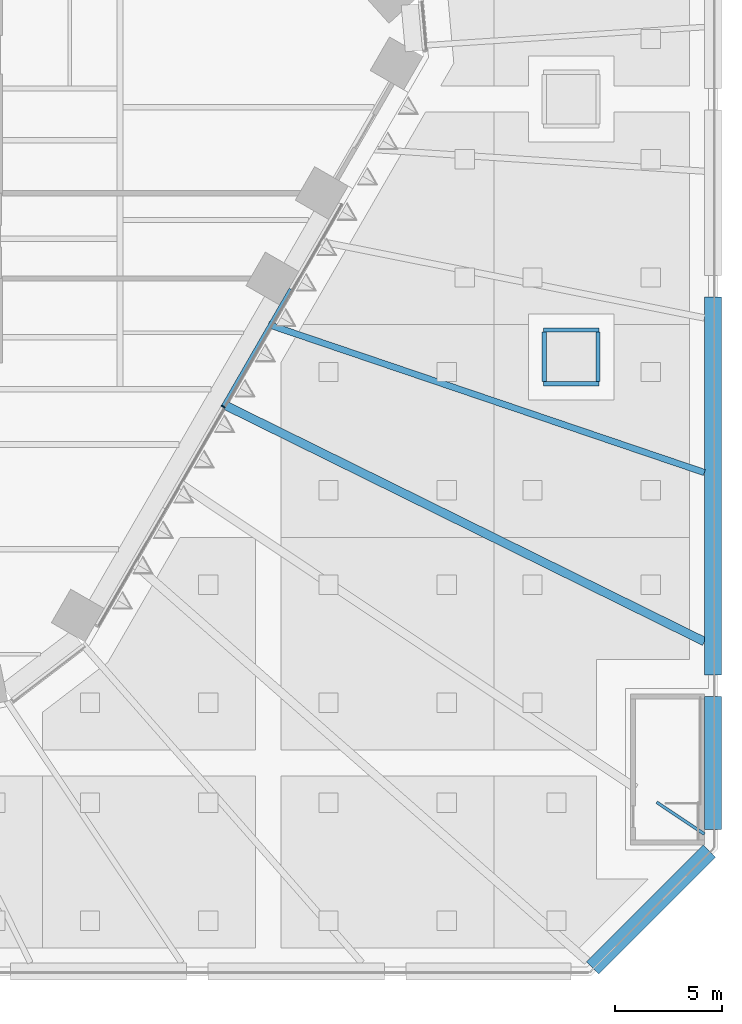
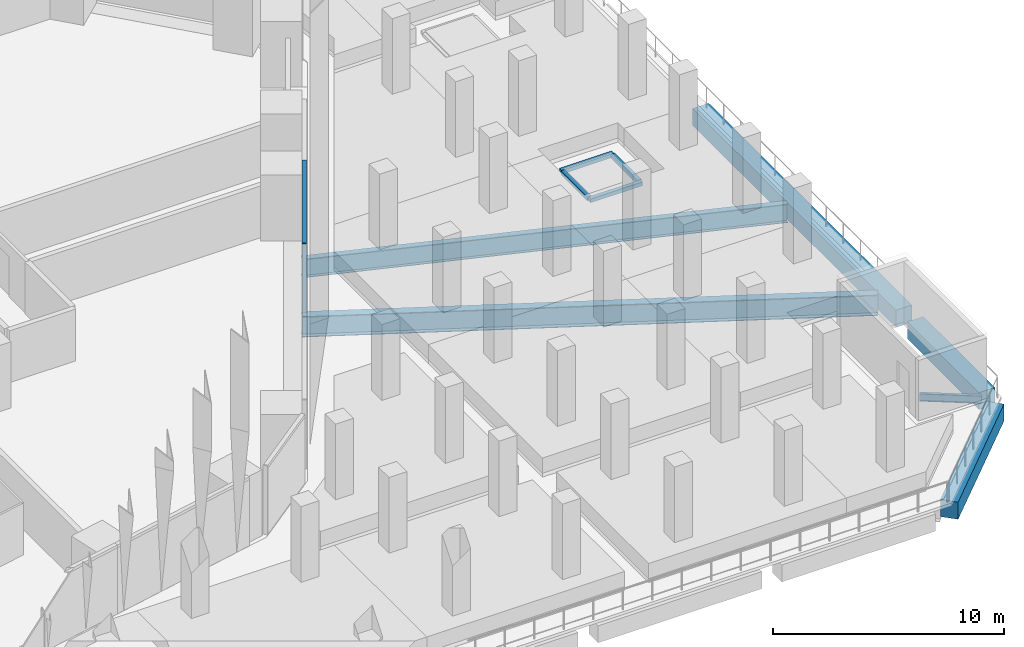
# One storey, part 13 of 51: 6 beams, 6 members, 1 element without a shape of its own.
"""IFC4 building model written with IfcOpenShell, lengths in metres."""

from ifc_helpers import new_model, si_unit, direction, frame, origin, origin_2d, place, context, subcontext, project, spatial, rectangle, i_section, extrude, material, layer, layer_set, material_profile, profile_set, type_object, element, aggregate, save


model = new_model("IFC4")

# Units and contexts
model_context = context("Model", 3, precision=1e-05, world=origin(), true_north=direction((0.0, 1.0)))
body_context = subcontext(model_context, "Body", "Model", "MODEL_VIEW")
ifc_project = project(units=[si_unit("LENGTHUNIT", "METRE"), si_unit("AREAUNIT", "SQUARE_METRE"), si_unit("VOLUMEUNIT", "CUBIC_METRE"), si_unit("PLANEANGLEUNIT", "RADIAN"), si_unit("MASSUNIT", "GRAM", prefix="KILO")], contexts=[model_context])

# Site, building, storey
site_placement = place(None, origin())
site = spatial("IfcSite", under=ifc_project, at=site_placement, CompositionType="ELEMENT")
building_placement = place(site_placement, origin())
building = spatial("IfcBuilding", under=site, at=building_placement, Name="Isthmus Gate Tower", CompositionType="ELEMENT")
storey_placement = place(building_placement, frame((0.0, 0.0, 36.0)))
storey = spatial("IfcBuildingStorey", under=building, at=storey_placement, Name="L06", CompositionType="ELEMENT", Elevation=36.0)

# Curtain wall, members
ifc_material_1 = material(Name="Aluminium, pale champagne anodised", Category="aluminium")
ifc_layer = layer(ifc_material_1, 0.199951171875)
ifc_layer_set = layer_set([ifc_layer], Name="CW-1 UNITISED CURTAIN WALL 200 DEEP")
curtain_wall_type = type_object("IfcCurtainWallType", Name="CW-1 UNITISED CURTAIN WALL 200 DEEP", PredefinedType="NOTDEFINED", material=ifc_layer_set)
curtain_wall_placement = place(storey_placement, origin())
curtain_wall = element("IfcCurtainWall", 1, at=curtain_wall_placement, inside=storey, type_object=curtain_wall_type, Name="CW-1 SE L06", PredefinedType="NOTDEFINED")
ifc_material_2 = material(Name="Aluminium, pale champagne anodised", Category="aluminium")
ifc_material_profile_1 = material_profile(ifc_material_2, rectangle(XDim=0.06005859375, YDim=0.199951171875, at=origin_2d()), Name="60x200")
ifc_profile_set_1 = profile_set([ifc_material_profile_1], Name="Aluminium, pale champagne anodised")
member_type_1 = type_object("IfcMemberType", Name="CW-1 MULLION 60 X 200", PredefinedType="MULLION", material=ifc_profile_set_1)
member_1_placement = place(storey_placement, frame((28.802001953125, -14.3134765625, 0.0), z_axis=(0.0, 0.0, 1.0), x_axis=(0.5, 0.866025403784, 0.0)))
member_1 = element("IfcMember", 2, at=member_1_placement, type_object=member_type_1, Name="CW-1 mullion", PredefinedType="MULLION", context=body_context, shape_type="SweptSolid", body=[
    extrude(rectangle(XDim=0.06005859375, YDim=0.199951171875, at=origin_2d()), origin(), (0.0, 0.0, 1.0), 3.64990234375),
])
ifc_material_3 = material(Name="Aluminium, pale champagne anodised", Category="aluminium")
ifc_material_profile_2 = material_profile(ifc_material_3, rectangle(XDim=0.199951171875, YDim=0.14990234375, at=origin_2d()), Name="200x150")
ifc_profile_set_2 = profile_set([ifc_material_profile_2], Name="Aluminium, pale champagne anodised")
member_type_2 = type_object("IfcMemberType", Name="CW-1 TRANSOM 200 X 150", PredefinedType="USERDEFINED", material=ifc_profile_set_2)
member_2_placement = place(storey_placement, frame((28.817138671875, -14.287353515625, 3.574951171875), z_axis=(0.499995104884, 0.866028229963, 0.0), x_axis=(-0.866028229963, 0.499995104884, 0.0)))
member_2 = element("IfcMember", 3, at=member_2_placement, type_object=member_type_2, Name="CW-1 transom", ObjectType="TRANSOM", PredefinedType="USERDEFINED", context=body_context, shape_type="SweptSolid", body=[
    extrude(rectangle(XDim=0.199951171875, YDim=0.14990234375, at=origin_2d()), origin(), (0.0, 0.0, 1.0), 6.2783203125),
])
aggregate(curtain_wall, [member_1, member_2])

# Beams
ifc_material_4 = material(Name="Concrete f'c 70 MPa", Category="concrete")
ifc_material_profile_3 = material_profile(ifc_material_4, rectangle(XDim=0.800048828125, YDim=0.89990234375, at=origin_2d()), Name="RC 800X900")
ifc_profile_set_3 = profile_set([ifc_material_profile_3], Name="Concrete f'c 70 MPa")
beam_type_1 = type_object("IfcBeamType", Name="RC EDGE BEAM 800 X 900", PredefinedType="BEAM", material=ifc_profile_set_3)
beam_1_placement = place(storey_placement, frame((51.60009765625, -9.199951171875, -0.60009765625), z_axis=(0.0, -1.0, 0.0), x_axis=(1.0, 0.0, 0.0)))
element("IfcBeam", 4, at=beam_1_placement, inside=storey, type_object=beam_type_1, Name="str-edgebeam-L06-25", PredefinedType="BEAM", context=body_context, shape_type="SweptSolid", body=[
    extrude(rectangle(XDim=0.800048828125, YDim=0.89990234375, at=origin_2d()), origin(), (0.0, 0.0, 1.0), 17.60009765625),
])
beam_2_placement = place(storey_placement, frame((51.60009765625, -27.800048828125, -0.60009765625), z_axis=(0.0, -1.0, 0.0), x_axis=(1.0, 0.0, 0.0)))
element("IfcBeam", 5, at=beam_2_placement, inside=storey, type_object=beam_type_1, Name="str-edgebeam-L06-26", PredefinedType="BEAM", context=body_context, shape_type="SweptSolid", body=[
    extrude(rectangle(XDim=0.800048828125, YDim=0.89990234375, at=origin_2d()), origin(), (0.0, 0.0, 1.0), 6.199951171875),
])
beam_3_placement = place(storey_placement, frame((51.434326171875, -35.0, -0.60009765625), z_axis=(-0.707106781187, -0.707106781187, 0.0), x_axis=(0.707106781187, -0.707106781187, 0.0)))
element("IfcBeam", 6, at=beam_3_placement, inside=storey, type_object=beam_type_1, Name="str-edgebeam-L06-27", PredefinedType="BEAM", context=body_context, shape_type="SweptSolid", body=[
    extrude(rectangle(XDim=0.800048828125, YDim=0.89990234375, at=origin_2d()), origin(), (0.0, 0.0, 1.0), 7.685302734375),
])

# Members
ifc_material_5 = material(Name="Concrete C30/37", Category="concrete")
ifc_material_profile_4 = material_profile(ifc_material_5, rectangle(XDim=0.199951171875, YDim=0.199951171875, at=origin_2d()), Name="200x200")
ifc_profile_set_4 = profile_set([ifc_material_profile_4], Name="Concrete C30/37")
member_type_3 = type_object("IfcMemberType", Name="SKYLIGHT KERB 200 X 200", PredefinedType="USERDEFINED", material=ifc_profile_set_4)
for number, where, z_axis, x_axis, name in (
    (7, (43.699951171875, -13.25, 0.10009765625), (1.0, 0.0, 0.0), (0.0, 1.0, 0.0), "Skylight kerb"),
    (8, (43.699951171875, -10.75, 0.10009765625), (1.0, 0.0, 0.0), (0.0, 1.0, 0.0), "Skylight kerb"),
):
    element("IfcMember", number, at=place(storey_placement, frame(where, z_axis=z_axis, x_axis=x_axis)), inside=storey, type_object=member_type_3, Name=name, ObjectType="KERB", PredefinedType="USERDEFINED", context=body_context, shape_type="SweptSolid", body=[
        extrude(rectangle(XDim=0.199951171875, YDim=0.199951171875, at=origin_2d()), origin(), (0.0, 0.0, 1.0), 2.60009765625),
    ])
for number, where, z_axis, x_axis, name in (
    (9, (43.75, -13.14990234375, 0.10009765625), (0.0, 1.0, 0.0), (-1.0, 0.0, 0.0), "Skylight kerb"),
    (10, (46.25, -13.14990234375, 0.10009765625), (0.0, 1.0, 0.0), (-1.0, 0.0, 0.0), "Skylight kerb"),
):
    element("IfcMember", number, at=place(storey_placement, frame(where, z_axis=z_axis, x_axis=x_axis)), inside=storey, type_object=member_type_3, Name=name, ObjectType="KERB", PredefinedType="USERDEFINED", context=body_context, shape_type="SweptSolid", body=[
        extrude(rectangle(XDim=0.199951171875, YDim=0.199951171875, at=origin_2d()), origin(), (0.0, 0.0, 1.0), 2.2998046875),
    ])

# Beams
ifc_material_6 = material(Name="Structural steel ASTM A992 Gr 50", Category="steel")
ifc_material_profile_5 = material_profile(ifc_material_6, i_section(OverallWidth=0.1396484375, OverallDepth=0.4033203125, WebThickness=0.00634765625, FlangeThickness=0.010986328125, at=origin_2d()), Name="W16X31")
ifc_profile_set_5 = profile_set([ifc_material_profile_5], Name="Structural steel ASTM A992 Gr 50")
beam_type_2 = type_object("IfcBeamType", Name="STEEL LEDGE BEAM W16X31", PredefinedType="JOIST", material=ifc_profile_set_5)
beam_4_placement = place(storey_placement, frame((48.976318359375, -32.72509765625, -0.3515625), z_axis=(0.831502127043, -0.555521568188, 0.0), x_axis=(0.555521568188, 0.831502127043, 0.0)))
element("IfcBeam", 11, at=beam_4_placement, inside=storey, type_object=beam_type_2, Name="str-ringbeam-L06-00-45", PredefinedType="JOIST", context=body_context, shape_type="SweptSolid", body=[
    extrude(i_section(OverallWidth=0.1396484375, OverallDepth=0.4033203125, WebThickness=0.00634765625, FlangeThickness=0.010986328125, at=origin_2d()), origin(), (0.0, 0.0, 1.0), 2.67431640625),
])
ifc_material_7 = material(Name="Structural steel ASTM A992 Gr 50", Category="steel")
ifc_material_profile_6 = material_profile(ifc_material_7, i_section(OverallWidth=0.29833984375, OverallDepth=0.981201171875, WebThickness=0.015869140625, FlangeThickness=0.025390625, at=origin_2d()), Name="W40X167")
ifc_profile_set_6 = profile_set([ifc_material_profile_6], Name="Structural steel ASTM A992 Gr 50")
beam_type_3 = type_object("IfcBeamType", Name="STEEL LEDGE BEAM W40X167", PredefinedType="JOIST", material=ifc_profile_set_6)
beam_5_placement = place(storey_placement, frame((30.8955078125, -10.487548828125, -0.640625), z_axis=(0.94692802357, -0.321445669093, 0.0), x_axis=(0.321445669093, 0.94692802357, 0.0)))
element("IfcBeam", 12, at=beam_5_placement, inside=storey, type_object=beam_type_3, Name="str-ringbeam-L06-00-47", PredefinedType="JOIST", context=body_context, shape_type="SweptSolid", body=[
    extrude(i_section(OverallWidth=0.29833984375, OverallDepth=0.981201171875, WebThickness=0.015869140625, FlangeThickness=0.025390625, at=origin_2d()), origin(), (0.0, 0.0, 1.0), 21.4423828125),
])
ifc_material_8 = material(Name="Structural steel ASTM A992 Gr 50", Category="steel")
ifc_material_profile_7 = material_profile(ifc_material_8, i_section(OverallWidth=0.39990234375, OverallDepth=1.089111328125, WebThickness=0.017578125, FlangeThickness=0.03173828125, at=origin_2d()), Name="W44X230")
ifc_profile_set_7 = profile_set([ifc_material_profile_7], Name="Structural steel ASTM A992 Gr 50")
beam_type_4 = type_object("IfcBeamType", Name="STEEL LEDGE BEAM W44X230", PredefinedType="JOIST", material=ifc_profile_set_7)
beam_6_placement = place(storey_placement, frame((28.761474609375, -14.18359375, -0.694580078125), z_axis=(0.896872779528, -0.442288613171, 0.0), x_axis=(0.442288613171, 0.896872779528, 0.0)))
element("IfcBeam", 13, at=beam_6_placement, inside=storey, type_object=beam_type_4, Name="str-ringbeam-L06-00-46", PredefinedType="JOIST", context=body_context, shape_type="SweptSolid", body=[
    extrude(i_section(OverallWidth=0.39990234375, OverallDepth=1.089111328125, WebThickness=0.017578125, FlangeThickness=0.03173828125, at=origin_2d()), origin(), (0.0, 0.0, 1.0), 25.0185546875),
])

save(model, "model.ifc")
